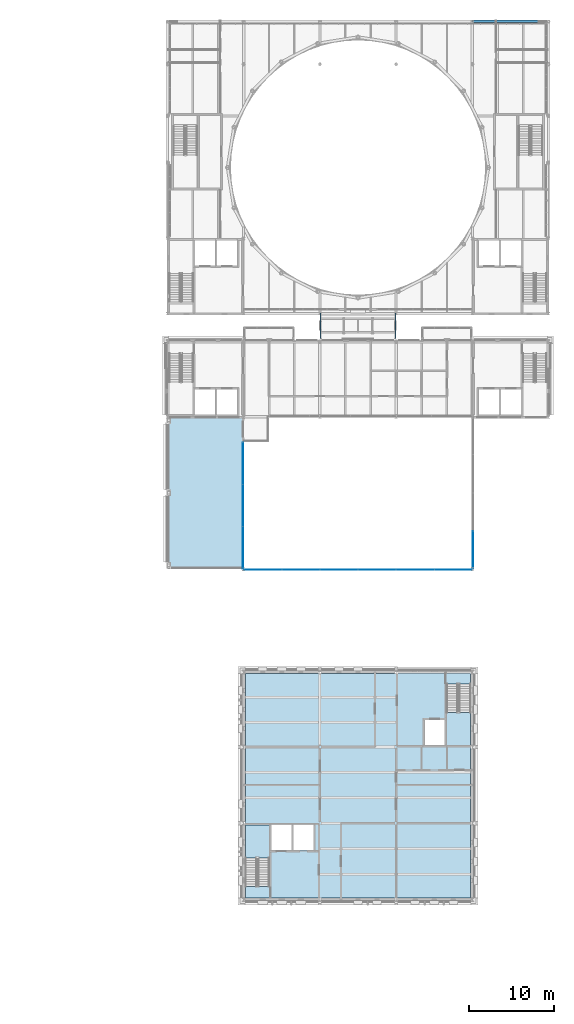
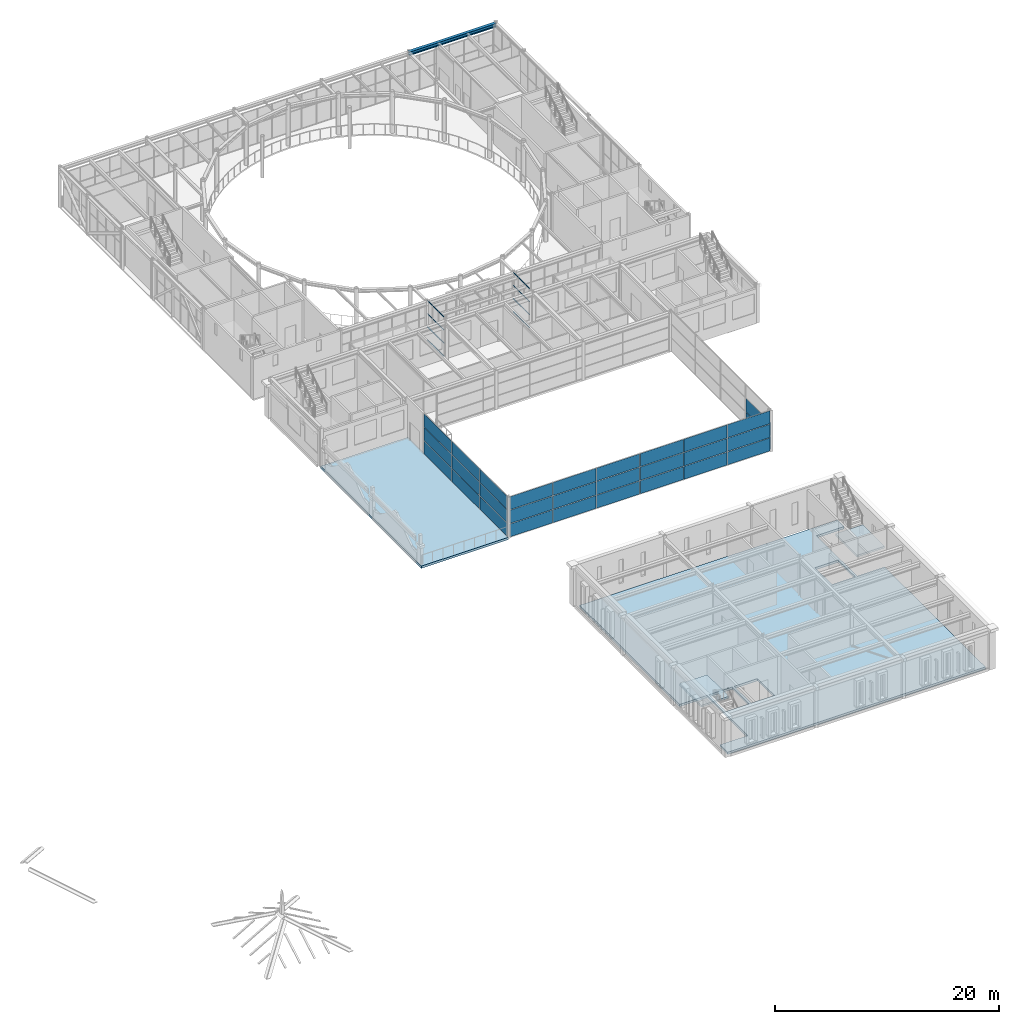
# One storey, part 44 of 70: 29 plates, 24 members, 4 slabs, 1 beam, 7 elements without a shape of their own.
"""IFC4 building model written with IfcOpenShell, lengths in metres."""

import ifcopenshell
import ifcopenshell.guid

model = None  # the IFC model being written
_history = None  # IfcOwnerHistory: only IFC2X3 demands one
_inside = {}  # id of a spatial element -> (the spatial element, [elements in it])
_under = {}  # id of a project, library or spatial element -> (it, [spatial elements below it])
_declared = {}  # id of a project -> (the project, [libraries it declares])
_typed = {}  # id of a type object -> (the type object, [elements of that type])
_made_of = {}  # id of a material, layer set ... -> (it, [elements and type objects made of it])


def new_model(schema):
    """Start an empty IFC model of exactly this schema.

    Asked for "IFC4X3", IfcOpenShell would pick the latest addendum, in which some entities
    have other attributes; the version numbers below select the first issue.
    IFC2X3 requires an IfcOwnerHistory on every rooted entity: one is made here for all.
    """
    global model, _history
    if schema == "IFC4X3":
        model = ifcopenshell.file(schema_version=(4, 3, 0, 0))
    else:
        model = ifcopenshell.file(schema=schema)
    _inside.clear()
    _under.clear()
    _declared.clear()
    _typed.clear()
    _made_of.clear()
    _history = None
    if model.schema == "IFC2X3":
        org = make("IfcOrganization", Name="unknown")
        user = make(
            "IfcPersonAndOrganization",
            ThePerson=make("IfcPerson", FamilyName="unknown"),
            TheOrganization=org,
        )
        app = make(
            "IfcApplication",
            ApplicationDeveloper=org,
            Version="unknown",
            ApplicationFullName="unknown",
            ApplicationIdentifier="unknown",
        )
        _history = make(
            "IfcOwnerHistory",
            OwningUser=user,
            OwningApplication=app,
            ChangeAction="ADDED",
            CreationDate=0,
        )
    return model


def make(cls, **values):
    """One entity of the class cls with the attributes given. An attribute that is None is left unset."""
    return model.create_entity(
        cls, **{name: value for name, value in values.items() if value is not None}
    )


def rooted(cls, **values):
    """An entity with a GlobalId (a new one), such as an element, a storey or a relation."""
    return make(cls, GlobalId=ifcopenshell.guid.new(), OwnerHistory=_history, **values)


def si_unit(unit_type, name, prefix=None):
    """IfcSIUnit, for example si_unit("LENGTHUNIT", "METRE", prefix="MILLI")."""
    return make("IfcSIUnit", UnitType=unit_type, Prefix=prefix, Name=name)


def assignment(units):
    """IfcUnitAssignment: the units of a project."""
    return None if units is None else make("IfcUnitAssignment", Units=units)


def point(xyz):
    """IfcCartesianPoint."""
    return None if xyz is None else make("IfcCartesianPoint", Coordinates=xyz)


def direction(xyz):
    """IfcDirection."""
    return None if xyz is None else make("IfcDirection", DirectionRatios=xyz)


def frame(location, z_axis=None, x_axis=None):
    """IfcAxis2Placement3D, a coordinate frame: its origin and axes. An axis left out is left unset."""
    return make(
        "IfcAxis2Placement3D",
        Location=point(location),
        Axis=direction(z_axis),
        RefDirection=direction(x_axis),
    )


def frame_2d(location, x_axis=None):
    """IfcAxis2Placement2D, a coordinate frame in the plane: its origin and x axis."""
    return make(
        "IfcAxis2Placement2D", Location=point(location), RefDirection=direction(x_axis)
    )


def origin():
    """The frame at (0, 0, 0) with its axes left unset."""
    return frame((0.0, 0.0, 0.0))


def origin_2d():
    """The frame at (0, 0) in the plane with its x axis left unset."""
    return frame_2d((0.0, 0.0))


def place(relative_to, where):
    """IfcLocalPlacement: puts the frame where relative to a parent placement (None: the world)."""
    return make(
        "IfcLocalPlacement", PlacementRelTo=relative_to, RelativePlacement=where
    )


def context(
    kind, dimensions, precision=None, world=None, true_north=None, identifier=None
):
    """IfcGeometricRepresentationContext, for example the 3D "Model" context."""
    return make(
        "IfcGeometricRepresentationContext",
        ContextIdentifier=identifier,
        ContextType=kind,
        CoordinateSpaceDimension=dimensions,
        Precision=precision,
        WorldCoordinateSystem=world,
        TrueNorth=true_north,
    )


def subcontext(parent, identifier, kind, view, scale=None):
    """IfcGeometricRepresentationSubContext, for example "Body" below "Model"."""
    return make(
        "IfcGeometricRepresentationSubContext",
        ContextIdentifier=identifier,
        ContextType=kind,
        ParentContext=parent,
        TargetScale=scale,
        TargetView=view,
    )


def project(units=None, contexts=None):
    """IfcProject with its units and contexts."""
    return rooted(
        "IfcProject",
        Name="project",
        RepresentationContexts=contexts,
        UnitsInContext=assignment(units),
    )


def spatial(cls, under=None, at=None, **own):
    """A site, building, storey or space (cls), placed at a placement, below another one or the project."""
    s = rooted(cls, ObjectPlacement=at, **own)
    if under is not None:
        _under.setdefault(under.id(), (under, []))[1].append(s)
    return s


def polyline(points):
    """IfcPolyline through the points."""
    return make("IfcPolyline", Points=[point(p) for p in points])


def profile(cls, at=None, kind="AREA", **sizes):
    """A parametric profile (cls). Its sizes go by their IFC names, for example OverallWidth=200.0."""
    return make(cls, ProfileType=kind, Position=at, **sizes)


def rectangle(**sizes):
    """IfcRectangleProfileDef."""
    return profile("IfcRectangleProfileDef", **sizes)


def hollow_rectangle(**sizes):
    """IfcRectangleHollowProfileDef."""
    return profile("IfcRectangleHollowProfileDef", **sizes)


def i_section(**sizes):
    """IfcIShapeProfileDef."""
    return profile("IfcIShapeProfileDef", **sizes)


def outline(outer, holes=None, kind="AREA"):
    """IfcArbitraryClosedProfileDef: a profile drawn as a closed curve; with holes, ...WithVoids."""
    if holes is None:
        return make("IfcArbitraryClosedProfileDef", ProfileType=kind, OuterCurve=outer)
    return make(
        "IfcArbitraryProfileDefWithVoids",
        ProfileType=kind,
        OuterCurve=outer,
        InnerCurves=holes,
    )


def extrude(swept, where, along, depth):
    """IfcExtrudedAreaSolid: the profile swept, set in the frame where, extruded along a direction by depth."""
    return make(
        "IfcExtrudedAreaSolid",
        SweptArea=swept,
        Position=where,
        ExtrudedDirection=direction(along),
        Depth=depth,
    )


def shape(context_of_items, identifier, shape_type, items):
    """IfcShapeRepresentation: the items that make up one representation, for example the "Body"."""
    return make(
        "IfcShapeRepresentation",
        ContextOfItems=context_of_items,
        RepresentationIdentifier=identifier,
        RepresentationType=shape_type,
        Items=items,
    )


def material(Name=None, Category=None):
    """IfcMaterial."""
    return make("IfcMaterial", Name=Name, Category=Category)


def layer(
    of_material, thickness, ventilated=None, Name=None, Category=None, Priority=None
):
    """IfcMaterialLayer: one layer of a wall or slab, of a material (None: an air gap)."""
    return make(
        "IfcMaterialLayer",
        Material=of_material,
        LayerThickness=thickness,
        IsVentilated=ventilated,
        Name=Name,
        Category=Category,
        Priority=Priority,
    )


def layer_set(layers, Name=None):
    """IfcMaterialLayerSet."""
    return make("IfcMaterialLayerSet", MaterialLayers=layers, LayerSetName=Name)


def material_profile(
    of_material, cross_section, Name=None, Category=None, Priority=None
):
    """IfcMaterialProfile: a cross section and its material."""
    return make(
        "IfcMaterialProfile",
        Name=Name,
        Material=of_material,
        Profile=cross_section,
        Priority=Priority,
        Category=Category,
    )


def profile_set(profiles, Name=None, composite=None):
    """IfcMaterialProfileSet."""
    return make(
        "IfcMaterialProfileSet",
        Name=Name,
        MaterialProfiles=profiles,
        CompositeProfile=composite,
    )


def made_of(thing, what):
    """Note that an element or type object is made of a material, layer set ...; save() writes the relation."""
    if what is not None:
        _made_of.setdefault(what.id(), (what, []))[1].append(thing)
    return thing


def type_object(cls, material=None, **own):
    """A type object (cls), such as IfcWallType, which elements share."""
    return made_of(rooted(cls, **own), material)


def element(
    cls,
    number,
    at=None,
    inside=None,
    cuts=None,
    type_object=None,
    material=None,
    context=None,
    identifier="Body",
    shape_type=None,
    held_by="IfcProductDefinitionShape",
    body=None,
    shapes=None,
    **own,
):
    """One element of the class cls, such as IfcWall. Its Tag is "e" and its number.

    at: its placement. inside: the storey or other place that contains it. cuts: it is an
    opening in that element (IfcRelVoidsElement). A single representation is given by context,
    identifier, shape_type and body (its items); several are given by shapes. held_by: the class
    of the entity that holds the representations. save() writes the other relations.
    """
    e = rooted(cls, Tag="e%d" % number, ObjectPlacement=at, **own)
    if body is not None:
        shapes = [shape(context, identifier, shape_type, body)]
    if shapes is not None:
        e.Representation = make(held_by, Representations=shapes)
    if inside is not None:
        _inside.setdefault(inside.id(), (inside, []))[1].append(e)
    if cuts is not None:
        rooted(
            "IfcRelVoidsElement", RelatingBuildingElement=cuts, RelatedOpeningElement=e
        )
    if type_object is not None:
        _typed.setdefault(type_object.id(), (type_object, []))[1].append(e)
    return made_of(e, material)


def aggregate(whole, parts):
    """IfcRelAggregates: a whole, such as a stair, and the parts it consists of."""
    return rooted("IfcRelAggregates", RelatingObject=whole, RelatedObjects=parts)


def save(model, path):
    """Write the relations noted so far, then the file.

    IfcRelAggregates (storeys below a building ...), IfcRelContainedInSpatialStructure (elements
    in a storey), IfcRelDefinesByType, IfcRelAssociatesMaterial and IfcRelDeclares: one each for
    every whole, place, type object, material and project.
    """
    for whole, parts in _under.values():
        aggregate(whole, parts)
    for where, things in _inside.values():
        rooted(
            "IfcRelContainedInSpatialStructure",
            RelatedElements=things,
            RelatingStructure=where,
        )
    for kind, things in _typed.values():
        rooted("IfcRelDefinesByType", RelatedObjects=things, RelatingType=kind)
    for what, things in _made_of.values():
        rooted("IfcRelAssociatesMaterial", RelatedObjects=things, RelatingMaterial=what)
    for by, libraries in _declared.values():
        rooted("IfcRelDeclares", RelatingContext=by, RelatedDefinitions=libraries)
    model.write(path)


model = new_model("IFC4")

# Units and contexts
model_context = context("Model", 3, precision=1e-05, world=origin(), true_north=direction((0.0, 1.0)))
body_context = subcontext(model_context, "Body", "Model", "MODEL_VIEW")
ifc_project = project(units=[si_unit("LENGTHUNIT", "METRE"), si_unit("AREAUNIT", "SQUARE_METRE"), si_unit("VOLUMEUNIT", "CUBIC_METRE"), si_unit("PLANEANGLEUNIT", "RADIAN"), si_unit("MASSUNIT", "GRAM", prefix="KILO")], contexts=[model_context])

# Site, building, storey
site_placement = place(None, origin())
site = spatial("IfcSite", under=ifc_project, at=site_placement, CompositionType="ELEMENT")
building_placement = place(site_placement, origin())
building = spatial("IfcBuilding", under=site, at=building_placement, Name="Kallimachos Central Library", CompositionType="ELEMENT")
storey_placement = place(building_placement, frame((0.0, 0.0, 18.89990234375)))
storey = spatial("IfcBuildingStorey", under=building, at=storey_placement, Name="L04", CompositionType="ELEMENT", Elevation=18.89990234375)

# Curtain wall, members
ifc_material_1 = material(Name="Aluminium and laminated glass", Category="aluminium")
curtain_wall_type_1 = type_object("IfcCurtainWallType", Name="Link glazed wall", PredefinedType="NOTDEFINED", material=ifc_material_1)
curtain_wall_1_placement = place(storey_placement, origin())
curtain_wall_1 = element("IfcCurtainWall", 1, at=curtain_wall_1_placement, inside=storey, type_object=curtain_wall_type_1, Name="Reading Link glazed wall L04", PredefinedType="NOTDEFINED")
ifc_material_2 = material(Name="Anodised aluminium", Category="aluminium")
ifc_material_profile_1 = material_profile(ifc_material_2, hollow_rectangle(XDim=0.06005859375, YDim=0.080078125, WallThickness=0.00390625, at=origin_2d()), Name="ALU TRANSOM 60x80")
ifc_profile_set_1 = profile_set([ifc_material_profile_1], Name="Anodised aluminium")
member_type = type_object("IfcMemberType", Name="ALU TRANSOM 60x80 transom", PredefinedType="USERDEFINED", material=ifc_profile_set_1)
member_1_placement = place(storey_placement, frame((83.580078125, 84.260009765625, 0.030029296875), z_axis=(0.0, 1.0, 0.0), x_axis=(0.0, 0.0, 1.0)))
member_1 = element("IfcMember", 2, at=member_1_placement, type_object=member_type, Name="CW70 transom 1.1", ObjectType="TRANSOM", PredefinedType="USERDEFINED", context=body_context, shape_type="SweptSolid", body=[
    extrude(hollow_rectangle(XDim=0.06005859375, YDim=0.080078125, WallThickness=0.00390625, at=origin_2d()), origin(), (0.0, 0.0, 1.0), 0.93505859375),
])
member_2_placement = place(storey_placement, frame((83.580078125, 84.260009765625, 1.4501953125), z_axis=(0.0, 1.0, 0.0), x_axis=(0.0, 0.0, 1.0)))
member_2 = element("IfcMember", 3, at=member_2_placement, type_object=member_type, Name="CW70 transom 1.2", ObjectType="TRANSOM", PredefinedType="USERDEFINED", context=body_context, shape_type="SweptSolid", body=[
    extrude(hollow_rectangle(XDim=0.06005859375, YDim=0.080078125, WallThickness=0.00390625, at=origin_2d()), origin(), (0.0, 0.0, 1.0), 0.93505859375),
])
member_3_placement = place(storey_placement, frame((83.580078125, 84.260009765625, 2.900146484375), z_axis=(0.0, 1.0, 0.0), x_axis=(0.0, 0.0, 1.0)))
member_3 = element("IfcMember", 4, at=member_3_placement, type_object=member_type, Name="CW70 transom 1.3", ObjectType="TRANSOM", PredefinedType="USERDEFINED", context=body_context, shape_type="SweptSolid", body=[
    extrude(hollow_rectangle(XDim=0.06005859375, YDim=0.080078125, WallThickness=0.00390625, at=origin_2d()), origin(), (0.0, 0.0, 1.0), 0.93505859375),
])
member_4_placement = place(storey_placement, frame((83.580078125, 84.260009765625, 4.320068359375), z_axis=(0.0, 1.0, 0.0), x_axis=(0.0, 0.0, 1.0)))
member_4 = element("IfcMember", 5, at=member_4_placement, type_object=member_type, Name="CW70 transom 1.4", ObjectType="TRANSOM", PredefinedType="USERDEFINED", context=body_context, shape_type="SweptSolid", body=[
    extrude(hollow_rectangle(XDim=0.06005859375, YDim=0.080078125, WallThickness=0.00390625, at=origin_2d()), origin(), (0.0, 0.0, 1.0), 0.93505859375),
])
member_5_placement = place(storey_placement, frame((83.580078125, 85.2548828125, 0.030029296875), z_axis=(0.0, 1.0, 0.0), x_axis=(0.0, 0.0, 1.0)))
member_5 = element("IfcMember", 6, at=member_5_placement, type_object=member_type, Name="CW70 transom 2.1", ObjectType="TRANSOM", PredefinedType="USERDEFINED", context=body_context, shape_type="SweptSolid", body=[
    extrude(hollow_rectangle(XDim=0.06005859375, YDim=0.080078125, WallThickness=0.00390625, at=origin_2d()), origin(), (0.0, 0.0, 1.0), 0.965087890625),
])
member_6_placement = place(storey_placement, frame((83.580078125, 85.2548828125, 1.4501953125), z_axis=(0.0, 1.0, 0.0), x_axis=(0.0, 0.0, 1.0)))
member_6 = element("IfcMember", 7, at=member_6_placement, type_object=member_type, Name="CW70 transom 2.2", ObjectType="TRANSOM", PredefinedType="USERDEFINED", context=body_context, shape_type="SweptSolid", body=[
    extrude(hollow_rectangle(XDim=0.06005859375, YDim=0.080078125, WallThickness=0.00390625, at=origin_2d()), origin(), (0.0, 0.0, 1.0), 0.965087890625),
])
member_7_placement = place(storey_placement, frame((83.580078125, 85.2548828125, 2.900146484375), z_axis=(0.0, 1.0, 0.0), x_axis=(0.0, 0.0, 1.0)))
member_7 = element("IfcMember", 8, at=member_7_placement, type_object=member_type, Name="CW70 transom 2.3", ObjectType="TRANSOM", PredefinedType="USERDEFINED", context=body_context, shape_type="SweptSolid", body=[
    extrude(hollow_rectangle(XDim=0.06005859375, YDim=0.080078125, WallThickness=0.00390625, at=origin_2d()), origin(), (0.0, 0.0, 1.0), 0.965087890625),
])
member_8_placement = place(storey_placement, frame((83.580078125, 85.2548828125, 4.320068359375), z_axis=(0.0, 1.0, 0.0), x_axis=(0.0, 0.0, 1.0)))
member_8 = element("IfcMember", 9, at=member_8_placement, type_object=member_type, Name="CW70 transom 2.4", ObjectType="TRANSOM", PredefinedType="USERDEFINED", context=body_context, shape_type="SweptSolid", body=[
    extrude(hollow_rectangle(XDim=0.06005859375, YDim=0.080078125, WallThickness=0.00390625, at=origin_2d()), origin(), (0.0, 0.0, 1.0), 0.965087890625),
])
member_9_placement = place(storey_placement, frame((83.580078125, 86.280029296875, 0.030029296875), z_axis=(0.0, 1.0, 0.0), x_axis=(0.0, 0.0, 1.0)))
member_9 = element("IfcMember", 10, at=member_9_placement, type_object=member_type, Name="CW70 transom 3.1", ObjectType="TRANSOM", PredefinedType="USERDEFINED", context=body_context, shape_type="SweptSolid", body=[
    extrude(hollow_rectangle(XDim=0.06005859375, YDim=0.080078125, WallThickness=0.00390625, at=origin_2d()), origin(), (0.0, 0.0, 1.0), 0.93505859375),
])
member_10_placement = place(storey_placement, frame((83.580078125, 86.280029296875, 1.4501953125), z_axis=(0.0, 1.0, 0.0), x_axis=(0.0, 0.0, 1.0)))
member_10 = element("IfcMember", 11, at=member_10_placement, type_object=member_type, Name="CW70 transom 3.2", ObjectType="TRANSOM", PredefinedType="USERDEFINED", context=body_context, shape_type="SweptSolid", body=[
    extrude(hollow_rectangle(XDim=0.06005859375, YDim=0.080078125, WallThickness=0.00390625, at=origin_2d()), origin(), (0.0, 0.0, 1.0), 0.93505859375),
])
member_11_placement = place(storey_placement, frame((83.580078125, 86.280029296875, 2.900146484375), z_axis=(0.0, 1.0, 0.0), x_axis=(0.0, 0.0, 1.0)))
member_11 = element("IfcMember", 12, at=member_11_placement, type_object=member_type, Name="CW70 transom 3.3", ObjectType="TRANSOM", PredefinedType="USERDEFINED", context=body_context, shape_type="SweptSolid", body=[
    extrude(hollow_rectangle(XDim=0.06005859375, YDim=0.080078125, WallThickness=0.00390625, at=origin_2d()), origin(), (0.0, 0.0, 1.0), 0.93505859375),
])
member_12_placement = place(storey_placement, frame((83.580078125, 86.280029296875, 4.320068359375), z_axis=(0.0, 1.0, 0.0), x_axis=(0.0, 0.0, 1.0)))
member_12 = element("IfcMember", 13, at=member_12_placement, type_object=member_type, Name="CW70 transom 3.4", ObjectType="TRANSOM", PredefinedType="USERDEFINED", context=body_context, shape_type="SweptSolid", body=[
    extrude(hollow_rectangle(XDim=0.06005859375, YDim=0.080078125, WallThickness=0.00390625, at=origin_2d()), origin(), (0.0, 0.0, 1.0), 0.93505859375),
])
aggregate(curtain_wall_1, [member_1, member_2, member_3, member_4, member_5, member_6, member_7, member_8, member_9, member_10, member_11, member_12])

curtain_wall_2_placement = place(storey_placement, origin())
curtain_wall_2 = element("IfcCurtainWall", 14, at=curtain_wall_2_placement, inside=storey, type_object=curtain_wall_type_1, Name="Reading Link glazed wall L04", PredefinedType="NOTDEFINED")
member_13_placement = place(storey_placement, frame((92.419921875, 84.260009765625, 0.030029296875), z_axis=(0.0, 1.0, 0.0), x_axis=(0.0, 0.0, 1.0)))
member_13 = element("IfcMember", 15, at=member_13_placement, type_object=member_type, Name="CW71 transom 1.1", ObjectType="TRANSOM", PredefinedType="USERDEFINED", context=body_context, shape_type="SweptSolid", body=[
    extrude(hollow_rectangle(XDim=0.06005859375, YDim=0.080078125, WallThickness=0.00390625, at=origin_2d()), origin(), (0.0, 0.0, 1.0), 0.93505859375),
])
member_14_placement = place(storey_placement, frame((92.419921875, 84.260009765625, 1.4501953125), z_axis=(0.0, 1.0, 0.0), x_axis=(0.0, 0.0, 1.0)))
member_14 = element("IfcMember", 16, at=member_14_placement, type_object=member_type, Name="CW71 transom 1.2", ObjectType="TRANSOM", PredefinedType="USERDEFINED", context=body_context, shape_type="SweptSolid", body=[
    extrude(hollow_rectangle(XDim=0.06005859375, YDim=0.080078125, WallThickness=0.00390625, at=origin_2d()), origin(), (0.0, 0.0, 1.0), 0.93505859375),
])
member_15_placement = place(storey_placement, frame((92.419921875, 84.260009765625, 2.900146484375), z_axis=(0.0, 1.0, 0.0), x_axis=(0.0, 0.0, 1.0)))
member_15 = element("IfcMember", 17, at=member_15_placement, type_object=member_type, Name="CW71 transom 1.3", ObjectType="TRANSOM", PredefinedType="USERDEFINED", context=body_context, shape_type="SweptSolid", body=[
    extrude(hollow_rectangle(XDim=0.06005859375, YDim=0.080078125, WallThickness=0.00390625, at=origin_2d()), origin(), (0.0, 0.0, 1.0), 0.93505859375),
])
member_16_placement = place(storey_placement, frame((92.419921875, 84.260009765625, 4.320068359375), z_axis=(0.0, 1.0, 0.0), x_axis=(0.0, 0.0, 1.0)))
member_16 = element("IfcMember", 18, at=member_16_placement, type_object=member_type, Name="CW71 transom 1.4", ObjectType="TRANSOM", PredefinedType="USERDEFINED", context=body_context, shape_type="SweptSolid", body=[
    extrude(hollow_rectangle(XDim=0.06005859375, YDim=0.080078125, WallThickness=0.00390625, at=origin_2d()), origin(), (0.0, 0.0, 1.0), 0.93505859375),
])
member_17_placement = place(storey_placement, frame((92.419921875, 85.2548828125, 0.030029296875), z_axis=(0.0, 1.0, 0.0), x_axis=(0.0, 0.0, 1.0)))
member_17 = element("IfcMember", 19, at=member_17_placement, type_object=member_type, Name="CW71 transom 2.1", ObjectType="TRANSOM", PredefinedType="USERDEFINED", context=body_context, shape_type="SweptSolid", body=[
    extrude(hollow_rectangle(XDim=0.06005859375, YDim=0.080078125, WallThickness=0.00390625, at=origin_2d()), origin(), (0.0, 0.0, 1.0), 0.965087890625),
])
member_18_placement = place(storey_placement, frame((92.419921875, 85.2548828125, 1.4501953125), z_axis=(0.0, 1.0, 0.0), x_axis=(0.0, 0.0, 1.0)))
member_18 = element("IfcMember", 20, at=member_18_placement, type_object=member_type, Name="CW71 transom 2.2", ObjectType="TRANSOM", PredefinedType="USERDEFINED", context=body_context, shape_type="SweptSolid", body=[
    extrude(hollow_rectangle(XDim=0.06005859375, YDim=0.080078125, WallThickness=0.00390625, at=origin_2d()), origin(), (0.0, 0.0, 1.0), 0.965087890625),
])
member_19_placement = place(storey_placement, frame((92.419921875, 85.2548828125, 2.900146484375), z_axis=(0.0, 1.0, 0.0), x_axis=(0.0, 0.0, 1.0)))
member_19 = element("IfcMember", 21, at=member_19_placement, type_object=member_type, Name="CW71 transom 2.3", ObjectType="TRANSOM", PredefinedType="USERDEFINED", context=body_context, shape_type="SweptSolid", body=[
    extrude(hollow_rectangle(XDim=0.06005859375, YDim=0.080078125, WallThickness=0.00390625, at=origin_2d()), origin(), (0.0, 0.0, 1.0), 0.965087890625),
])
member_20_placement = place(storey_placement, frame((92.419921875, 85.2548828125, 4.320068359375), z_axis=(0.0, 1.0, 0.0), x_axis=(0.0, 0.0, 1.0)))
member_20 = element("IfcMember", 22, at=member_20_placement, type_object=member_type, Name="CW71 transom 2.4", ObjectType="TRANSOM", PredefinedType="USERDEFINED", context=body_context, shape_type="SweptSolid", body=[
    extrude(hollow_rectangle(XDim=0.06005859375, YDim=0.080078125, WallThickness=0.00390625, at=origin_2d()), origin(), (0.0, 0.0, 1.0), 0.965087890625),
])
member_21_placement = place(storey_placement, frame((92.419921875, 86.280029296875, 0.030029296875), z_axis=(0.0, 1.0, 0.0), x_axis=(0.0, 0.0, 1.0)))
member_21 = element("IfcMember", 23, at=member_21_placement, type_object=member_type, Name="CW71 transom 3.1", ObjectType="TRANSOM", PredefinedType="USERDEFINED", context=body_context, shape_type="SweptSolid", body=[
    extrude(hollow_rectangle(XDim=0.06005859375, YDim=0.080078125, WallThickness=0.00390625, at=origin_2d()), origin(), (0.0, 0.0, 1.0), 0.93505859375),
])
member_22_placement = place(storey_placement, frame((92.419921875, 86.280029296875, 1.4501953125), z_axis=(0.0, 1.0, 0.0), x_axis=(0.0, 0.0, 1.0)))
member_22 = element("IfcMember", 24, at=member_22_placement, type_object=member_type, Name="CW71 transom 3.2", ObjectType="TRANSOM", PredefinedType="USERDEFINED", context=body_context, shape_type="SweptSolid", body=[
    extrude(hollow_rectangle(XDim=0.06005859375, YDim=0.080078125, WallThickness=0.00390625, at=origin_2d()), origin(), (0.0, 0.0, 1.0), 0.93505859375),
])
member_23_placement = place(storey_placement, frame((92.419921875, 86.280029296875, 2.900146484375), z_axis=(0.0, 1.0, 0.0), x_axis=(0.0, 0.0, 1.0)))
member_23 = element("IfcMember", 25, at=member_23_placement, type_object=member_type, Name="CW71 transom 3.3", ObjectType="TRANSOM", PredefinedType="USERDEFINED", context=body_context, shape_type="SweptSolid", body=[
    extrude(hollow_rectangle(XDim=0.06005859375, YDim=0.080078125, WallThickness=0.00390625, at=origin_2d()), origin(), (0.0, 0.0, 1.0), 0.93505859375),
])
member_24_placement = place(storey_placement, frame((92.419921875, 86.280029296875, 4.320068359375), z_axis=(0.0, 1.0, 0.0), x_axis=(0.0, 0.0, 1.0)))
member_24 = element("IfcMember", 26, at=member_24_placement, type_object=member_type, Name="CW71 transom 3.4", ObjectType="TRANSOM", PredefinedType="USERDEFINED", context=body_context, shape_type="SweptSolid", body=[
    extrude(hollow_rectangle(XDim=0.06005859375, YDim=0.080078125, WallThickness=0.00390625, at=origin_2d()), origin(), (0.0, 0.0, 1.0), 0.93505859375),
])
aggregate(curtain_wall_2, [member_13, member_14, member_15, member_16, member_17, member_18, member_19, member_20, member_21, member_22, member_23, member_24])

# Beam
ifc_material_3 = material(Name="Steel S355J2", Category="steel")
ifc_material_profile_2 = material_profile(ifc_material_3, i_section(OverallWidth=0.300048828125, OverallDepth=0.39990234375, WebThickness=0.013427734375, FlangeThickness=0.02392578125, FilletRadius=0.027099609375, at=origin_2d()), Name="HEB 400")
ifc_profile_set_2 = profile_set([ifc_material_profile_2], Name="Steel S355J2")
beam_type = type_object("IfcBeamType", Name="HEB 400 beam", PredefinedType="BEAM", material=ifc_profile_set_2)
beam_placement = place(storey_placement, frame((101.5, 121.64990234375, 4.150146484375), z_axis=(1.0, 0.0, 0.0), x_axis=(0.0, 1.0, 0.0)))
element("IfcBeam", 27, at=beam_placement, inside=storey, type_object=beam_type, Name="V1-BEM-L04-048", PredefinedType="BEAM", context=body_context, shape_type="SweptSolid", body=[
    extrude(i_section(OverallWidth=0.300048828125, OverallDepth=0.39990234375, WebThickness=0.013427734375, FlangeThickness=0.02392578125, FilletRadius=0.027099609375, at=origin_2d()), origin(), (0.0, 0.0, 1.0), 9.0),
])

# Curtain wall, plates
ifc_material_4 = material(Name="Aluminium and laminated glass", Category="aluminium")
curtain_wall_type_2 = type_object("IfcCurtainWallType", Name="Atrium glazed screen", PredefinedType="NOTDEFINED", material=ifc_material_4)
curtain_wall_3_placement = place(storey_placement, origin())
curtain_wall_3 = element("IfcCurtainWall", 28, at=curtain_wall_3_placement, inside=storey, type_object=curtain_wall_type_2, Name="L04 atrium screen S", PredefinedType="NOTDEFINED")
ifc_material_5 = material(Name="Laminated glass", Category="glass")
ifc_layer_1 = layer(ifc_material_5, 0.028076171875)
ifc_layer_set_1 = layer_set([ifc_layer_1], Name="Atrium screen glass panel")
plate_type = type_object("IfcPlateType", Name="Atrium screen glass panel", PredefinedType="CURTAIN_PANEL", material=ifc_layer_set_1)
plate_1_placement = place(storey_placement, frame((76.764892578125, 56.919921875, 0.06005859375), z_axis=(0.0, 0.0, 1.0), x_axis=(1.0, 0.0, 0.0)))
plate_1 = element("IfcPlate", 29, at=plate_1_placement, type_object=plate_type, Name="CW panel 1.1", PredefinedType="CURTAIN_PANEL", context=body_context, shape_type="SweptSolid", body=[
    extrude(rectangle(XDim=4.409912109375, YDim=0.028076171875, at=origin_2d()), origin(), (0.0, 0.0, 1.0), 1.409912109375),
])
plate_2_placement = place(storey_placement, frame((76.764892578125, 56.919921875, 1.530029296875), z_axis=(0.0, 0.0, 1.0), x_axis=(1.0, 0.0, 0.0)))
plate_2 = element("IfcPlate", 30, at=plate_2_placement, type_object=plate_type, Name="CW panel 1.2", PredefinedType="CURTAIN_PANEL", context=body_context, shape_type="SweptSolid", body=[
    extrude(rectangle(XDim=4.409912109375, YDim=0.028076171875, at=origin_2d()), origin(), (0.0, 0.0, 1.0), 1.43994140625),
])
plate_3_placement = place(storey_placement, frame((76.764892578125, 56.919921875, 3.0302734375), z_axis=(0.0, 0.0, 1.0), x_axis=(1.0, 0.0, 0.0)))
plate_3 = element("IfcPlate", 31, at=plate_3_placement, type_object=plate_type, Name="CW panel 1.3", PredefinedType="CURTAIN_PANEL", context=body_context, shape_type="SweptSolid", body=[
    extrude(rectangle(XDim=4.409912109375, YDim=0.028076171875, at=origin_2d()), origin(), (0.0, 0.0, 1.0), 1.409912109375),
])
plate_4_placement = place(storey_placement, frame((81.25, 56.919921875, 0.06005859375), z_axis=(0.0, 0.0, 1.0), x_axis=(1.0, 0.0, 0.0)))
plate_4 = element("IfcPlate", 32, at=plate_4_placement, type_object=plate_type, Name="CW panel 2.1", PredefinedType="CURTAIN_PANEL", context=body_context, shape_type="SweptSolid", body=[
    extrude(rectangle(XDim=4.43994140625, YDim=0.028076171875, at=origin_2d()), origin(), (0.0, 0.0, 1.0), 1.409912109375),
])
plate_5_placement = place(storey_placement, frame((81.25, 56.919921875, 1.530029296875), z_axis=(0.0, 0.0, 1.0), x_axis=(1.0, 0.0, 0.0)))
plate_5 = element("IfcPlate", 33, at=plate_5_placement, type_object=plate_type, Name="CW panel 2.2", PredefinedType="CURTAIN_PANEL", context=body_context, shape_type="SweptSolid", body=[
    extrude(rectangle(XDim=4.43994140625, YDim=0.028076171875, at=origin_2d()), origin(), (0.0, 0.0, 1.0), 1.43994140625),
])
plate_6_placement = place(storey_placement, frame((81.25, 56.919921875, 3.0302734375), z_axis=(0.0, 0.0, 1.0), x_axis=(1.0, 0.0, 0.0)))
plate_6 = element("IfcPlate", 34, at=plate_6_placement, type_object=plate_type, Name="CW panel 2.3", PredefinedType="CURTAIN_PANEL", context=body_context, shape_type="SweptSolid", body=[
    extrude(rectangle(XDim=4.43994140625, YDim=0.028076171875, at=origin_2d()), origin(), (0.0, 0.0, 1.0), 1.409912109375),
])
plate_7_placement = place(storey_placement, frame((85.75, 56.919921875, 0.06005859375), z_axis=(0.0, 0.0, 1.0), x_axis=(1.0, 0.0, 0.0)))
plate_7 = element("IfcPlate", 35, at=plate_7_placement, type_object=plate_type, Name="CW panel 3.1", PredefinedType="CURTAIN_PANEL", context=body_context, shape_type="SweptSolid", body=[
    extrude(rectangle(XDim=4.43994140625, YDim=0.028076171875, at=origin_2d()), origin(), (0.0, 0.0, 1.0), 1.409912109375),
])
plate_8_placement = place(storey_placement, frame((85.75, 56.919921875, 1.530029296875), z_axis=(0.0, 0.0, 1.0), x_axis=(1.0, 0.0, 0.0)))
plate_8 = element("IfcPlate", 36, at=plate_8_placement, type_object=plate_type, Name="CW panel 3.2", PredefinedType="CURTAIN_PANEL", context=body_context, shape_type="SweptSolid", body=[
    extrude(rectangle(XDim=4.43994140625, YDim=0.028076171875, at=origin_2d()), origin(), (0.0, 0.0, 1.0), 1.43994140625),
])
plate_9_placement = place(storey_placement, frame((85.75, 56.919921875, 3.0302734375), z_axis=(0.0, 0.0, 1.0), x_axis=(1.0, 0.0, 0.0)))
plate_9 = element("IfcPlate", 37, at=plate_9_placement, type_object=plate_type, Name="CW panel 3.3", PredefinedType="CURTAIN_PANEL", context=body_context, shape_type="SweptSolid", body=[
    extrude(rectangle(XDim=4.43994140625, YDim=0.028076171875, at=origin_2d()), origin(), (0.0, 0.0, 1.0), 1.409912109375),
])
plate_10_placement = place(storey_placement, frame((90.25, 56.919921875, 0.06005859375), z_axis=(0.0, 0.0, 1.0), x_axis=(1.0, 0.0, 0.0)))
plate_10 = element("IfcPlate", 38, at=plate_10_placement, type_object=plate_type, Name="CW panel 4.1", PredefinedType="CURTAIN_PANEL", context=body_context, shape_type="SweptSolid", body=[
    extrude(rectangle(XDim=4.43994140625, YDim=0.028076171875, at=origin_2d()), origin(), (0.0, 0.0, 1.0), 1.409912109375),
])
plate_11_placement = place(storey_placement, frame((90.25, 56.919921875, 1.530029296875), z_axis=(0.0, 0.0, 1.0), x_axis=(1.0, 0.0, 0.0)))
plate_11 = element("IfcPlate", 39, at=plate_11_placement, type_object=plate_type, Name="CW panel 4.2", PredefinedType="CURTAIN_PANEL", context=body_context, shape_type="SweptSolid", body=[
    extrude(rectangle(XDim=4.43994140625, YDim=0.028076171875, at=origin_2d()), origin(), (0.0, 0.0, 1.0), 1.43994140625),
])
plate_12_placement = place(storey_placement, frame((90.25, 56.919921875, 3.0302734375), z_axis=(0.0, 0.0, 1.0), x_axis=(1.0, 0.0, 0.0)))
plate_12 = element("IfcPlate", 40, at=plate_12_placement, type_object=plate_type, Name="CW panel 4.3", PredefinedType="CURTAIN_PANEL", context=body_context, shape_type="SweptSolid", body=[
    extrude(rectangle(XDim=4.43994140625, YDim=0.028076171875, at=origin_2d()), origin(), (0.0, 0.0, 1.0), 1.409912109375),
])
plate_13_placement = place(storey_placement, frame((94.75, 56.919921875, 0.06005859375), z_axis=(0.0, 0.0, 1.0), x_axis=(1.0, 0.0, 0.0)))
plate_13 = element("IfcPlate", 41, at=plate_13_placement, type_object=plate_type, Name="CW panel 5.1", PredefinedType="CURTAIN_PANEL", context=body_context, shape_type="SweptSolid", body=[
    extrude(rectangle(XDim=4.43994140625, YDim=0.028076171875, at=origin_2d()), origin(), (0.0, 0.0, 1.0), 1.409912109375),
])
plate_14_placement = place(storey_placement, frame((94.75, 56.919921875, 1.530029296875), z_axis=(0.0, 0.0, 1.0), x_axis=(1.0, 0.0, 0.0)))
plate_14 = element("IfcPlate", 42, at=plate_14_placement, type_object=plate_type, Name="CW panel 5.2", PredefinedType="CURTAIN_PANEL", context=body_context, shape_type="SweptSolid", body=[
    extrude(rectangle(XDim=4.43994140625, YDim=0.028076171875, at=origin_2d()), origin(), (0.0, 0.0, 1.0), 1.43994140625),
])
plate_15_placement = place(storey_placement, frame((94.75, 56.919921875, 3.0302734375), z_axis=(0.0, 0.0, 1.0), x_axis=(1.0, 0.0, 0.0)))
plate_15 = element("IfcPlate", 43, at=plate_15_placement, type_object=plate_type, Name="CW panel 5.3", PredefinedType="CURTAIN_PANEL", context=body_context, shape_type="SweptSolid", body=[
    extrude(rectangle(XDim=4.43994140625, YDim=0.028076171875, at=origin_2d()), origin(), (0.0, 0.0, 1.0), 1.409912109375),
])
plate_16_placement = place(storey_placement, frame((99.235107421875, 56.919921875, 0.06005859375), z_axis=(0.0, 0.0, 1.0), x_axis=(1.0, 0.0, 0.0)))
plate_16 = element("IfcPlate", 44, at=plate_16_placement, type_object=plate_type, Name="CW panel 6.1", PredefinedType="CURTAIN_PANEL", context=body_context, shape_type="SweptSolid", body=[
    extrude(rectangle(XDim=4.409912109375, YDim=0.028076171875, at=origin_2d()), origin(), (0.0, 0.0, 1.0), 1.409912109375),
])
plate_17_placement = place(storey_placement, frame((99.235107421875, 56.919921875, 1.530029296875), z_axis=(0.0, 0.0, 1.0), x_axis=(1.0, 0.0, 0.0)))
plate_17 = element("IfcPlate", 45, at=plate_17_placement, type_object=plate_type, Name="CW panel 6.2", PredefinedType="CURTAIN_PANEL", context=body_context, shape_type="SweptSolid", body=[
    extrude(rectangle(XDim=4.409912109375, YDim=0.028076171875, at=origin_2d()), origin(), (0.0, 0.0, 1.0), 1.43994140625),
])
plate_18_placement = place(storey_placement, frame((99.235107421875, 56.919921875, 3.0302734375), z_axis=(0.0, 0.0, 1.0), x_axis=(1.0, 0.0, 0.0)))
plate_18 = element("IfcPlate", 46, at=plate_18_placement, type_object=plate_type, Name="CW panel 6.3", PredefinedType="CURTAIN_PANEL", context=body_context, shape_type="SweptSolid", body=[
    extrude(rectangle(XDim=4.409912109375, YDim=0.028076171875, at=origin_2d()), origin(), (0.0, 0.0, 1.0), 1.409912109375),
])
aggregate(curtain_wall_3, [plate_1, plate_2, plate_3, plate_4, plate_5, plate_6, plate_7, plate_8, plate_9, plate_10, plate_11, plate_12, plate_13, plate_14, plate_15, plate_16, plate_17, plate_18])

curtain_wall_4_placement = place(storey_placement, origin())
curtain_wall_4 = element("IfcCurtainWall", 47, at=curtain_wall_4_placement, inside=storey, type_object=curtain_wall_type_2, Name="L04 atrium screen W", PredefinedType="NOTDEFINED")
plate_19_placement = place(storey_placement, frame((74.419921875, 59.514892578125, 0.06005859375), z_axis=(0.0, 0.0, 1.0), x_axis=(0.0, 1.0, 0.0)))
plate_19 = element("IfcPlate", 48, at=plate_19_placement, type_object=plate_type, Name="CW panel 1.1", PredefinedType="CURTAIN_PANEL", context=body_context, shape_type="SweptSolid", body=[
    extrude(rectangle(XDim=4.909912109375, YDim=0.028076171875, at=origin_2d()), origin(), (0.0, 0.0, 1.0), 1.409912109375),
])
plate_20_placement = place(storey_placement, frame((74.419921875, 59.514892578125, 1.530029296875), z_axis=(0.0, 0.0, 1.0), x_axis=(0.0, 1.0, 0.0)))
plate_20 = element("IfcPlate", 49, at=plate_20_placement, type_object=plate_type, Name="CW panel 1.2", PredefinedType="CURTAIN_PANEL", context=body_context, shape_type="SweptSolid", body=[
    extrude(rectangle(XDim=4.909912109375, YDim=0.028076171875, at=origin_2d()), origin(), (0.0, 0.0, 1.0), 1.43994140625),
])
plate_21_placement = place(storey_placement, frame((74.419921875, 59.514892578125, 3.0302734375), z_axis=(0.0, 0.0, 1.0), x_axis=(0.0, 1.0, 0.0)))
plate_21 = element("IfcPlate", 50, at=plate_21_placement, type_object=plate_type, Name="CW panel 1.3", PredefinedType="CURTAIN_PANEL", context=body_context, shape_type="SweptSolid", body=[
    extrude(rectangle(XDim=4.909912109375, YDim=0.028076171875, at=origin_2d()), origin(), (0.0, 0.0, 1.0), 1.409912109375),
])
plate_22_placement = place(storey_placement, frame((74.419921875, 64.5, 0.06005859375), z_axis=(0.0, 0.0, 1.0), x_axis=(0.0, 1.0, 0.0)))
plate_22 = element("IfcPlate", 51, at=plate_22_placement, type_object=plate_type, Name="CW panel 2.1", PredefinedType="CURTAIN_PANEL", context=body_context, shape_type="SweptSolid", body=[
    extrude(rectangle(XDim=4.93994140625, YDim=0.028076171875, at=origin_2d()), origin(), (0.0, 0.0, 1.0), 1.409912109375),
])
plate_23_placement = place(storey_placement, frame((74.419921875, 64.5, 1.530029296875), z_axis=(0.0, 0.0, 1.0), x_axis=(0.0, 1.0, 0.0)))
plate_23 = element("IfcPlate", 52, at=plate_23_placement, type_object=plate_type, Name="CW panel 2.2", PredefinedType="CURTAIN_PANEL", context=body_context, shape_type="SweptSolid", body=[
    extrude(rectangle(XDim=4.93994140625, YDim=0.028076171875, at=origin_2d()), origin(), (0.0, 0.0, 1.0), 1.43994140625),
])
plate_24_placement = place(storey_placement, frame((74.419921875, 64.5, 3.0302734375), z_axis=(0.0, 0.0, 1.0), x_axis=(0.0, 1.0, 0.0)))
plate_24 = element("IfcPlate", 53, at=plate_24_placement, type_object=plate_type, Name="CW panel 2.3", PredefinedType="CURTAIN_PANEL", context=body_context, shape_type="SweptSolid", body=[
    extrude(rectangle(XDim=4.93994140625, YDim=0.028076171875, at=origin_2d()), origin(), (0.0, 0.0, 1.0), 1.409912109375),
])
plate_25_placement = place(storey_placement, frame((74.419921875, 69.485107421875, 0.06005859375), z_axis=(0.0, 0.0, 1.0), x_axis=(0.0, 1.0, 0.0)))
plate_25 = element("IfcPlate", 54, at=plate_25_placement, type_object=plate_type, Name="CW panel 3.1", PredefinedType="CURTAIN_PANEL", context=body_context, shape_type="SweptSolid", body=[
    extrude(rectangle(XDim=4.909912109375, YDim=0.028076171875, at=origin_2d()), origin(), (0.0, 0.0, 1.0), 1.409912109375),
])
plate_26_placement = place(storey_placement, frame((74.419921875, 69.485107421875, 1.530029296875), z_axis=(0.0, 0.0, 1.0), x_axis=(0.0, 1.0, 0.0)))
plate_26 = element("IfcPlate", 55, at=plate_26_placement, type_object=plate_type, Name="CW panel 3.2", PredefinedType="CURTAIN_PANEL", context=body_context, shape_type="SweptSolid", body=[
    extrude(rectangle(XDim=4.909912109375, YDim=0.028076171875, at=origin_2d()), origin(), (0.0, 0.0, 1.0), 1.43994140625),
])
plate_27_placement = place(storey_placement, frame((74.419921875, 69.485107421875, 3.0302734375), z_axis=(0.0, 0.0, 1.0), x_axis=(0.0, 1.0, 0.0)))
plate_27 = element("IfcPlate", 56, at=plate_27_placement, type_object=plate_type, Name="CW panel 3.3", PredefinedType="CURTAIN_PANEL", context=body_context, shape_type="SweptSolid", body=[
    extrude(rectangle(XDim=4.909912109375, YDim=0.028076171875, at=origin_2d()), origin(), (0.0, 0.0, 1.0), 1.409912109375),
])
aggregate(curtain_wall_4, [plate_19, plate_20, plate_21, plate_22, plate_23, plate_24, plate_25, plate_26, plate_27])

curtain_wall_5_placement = place(storey_placement, origin())
curtain_wall_5 = element("IfcCurtainWall", 57, at=curtain_wall_5_placement, inside=storey, type_object=curtain_wall_type_2, Name="L04 atrium screen E", PredefinedType="NOTDEFINED")
plate_28_placement = place(storey_placement, frame((101.580078125, 59.264892578125, 0.06005859375), z_axis=(0.0, 0.0, 1.0), x_axis=(0.0, 1.0, 0.0)))
plate_28 = element("IfcPlate", 58, at=plate_28_placement, type_object=plate_type, Name="CW panel 1.1", PredefinedType="CURTAIN_PANEL", context=body_context, shape_type="SweptSolid", body=[
    extrude(rectangle(XDim=4.409912109375, YDim=0.028076171875, at=origin_2d()), origin(), (0.0, 0.0, 1.0), 1.409912109375),
])
plate_29_placement = place(storey_placement, frame((101.580078125, 59.264892578125, 1.530029296875), z_axis=(0.0, 0.0, 1.0), x_axis=(0.0, 1.0, 0.0)))
plate_29 = element("IfcPlate", 59, at=plate_29_placement, type_object=plate_type, Name="CW panel 1.2", PredefinedType="CURTAIN_PANEL", context=body_context, shape_type="SweptSolid", body=[
    extrude(rectangle(XDim=4.409912109375, YDim=0.028076171875, at=origin_2d()), origin(), (0.0, 0.0, 1.0), 1.43994140625),
])
aggregate(curtain_wall_5, [plate_28, plate_29])

# Slabs
ifc_material_6 = material(Name="Composite slab C30/37 on steel deck", Category="concrete")
ifc_layer_2 = layer(ifc_material_6, 0.25)
ifc_layer_set_2 = layer_set([ifc_layer_2], Name="Composite floor slab 250")
slab_type_1 = type_object("IfcSlabType", Name="Composite floor slab 250", PredefinedType="FLOOR", material=ifc_layer_set_2)
slab_1_placement = place(storey_placement, frame((0.0, 0.0, -0.25)))
element("IfcSlab", 60, at=slab_1_placement, inside=storey, type_object=slab_type_1, Name="V5-SLB-L04-001", PredefinedType="FLOOR", context=body_context, shape_type="SweptSolid", body=[
    extrude(outline(polyline([(101.300048828125, 18.199951171875), (74.699951171875, 18.199951171875), (74.699951171875, 19.553955078125), (77.550048828125, 19.553955078125), (77.550048828125, 26.800048828125), (74.699951171875, 26.800048828125), (74.699951171875, 44.64990234375), (101.300048828125, 44.64990234375), (101.300048828125, 43.446044921875), (98.449951171875, 43.446044921875), (98.449951171875, 36.199951171875), (101.300048828125, 36.199951171875), (101.300048828125, 18.199951171875)]), holes=[polyline([(77.75, 26.800048828125), (77.75, 23.800048828125), (80.14990234375, 23.800048828125), (80.14990234375, 26.800048828125), (77.75, 26.800048828125)]), polyline([(80.35009765625, 26.800048828125), (80.35009765625, 23.800048828125), (82.75, 23.800048828125), (82.75, 26.800048828125), (80.35009765625, 26.800048828125)]), polyline([(98.25, 39.199951171875), (95.85009765625, 39.199951171875), (95.85009765625, 36.199951171875), (98.25, 36.199951171875), (98.25, 39.199951171875)])]), origin(), (0.0, 0.0, 1.0), 0.25),
])
ifc_material_7 = material(Name="Composite slab C30/37 on steel deck", Category="concrete")
ifc_layer_3 = layer(ifc_material_7, 0.25)
ifc_layer_set_3 = layer_set([ifc_layer_3], Name="Roof garden slab 250")
slab_type_2 = type_object("IfcSlabType", Name="Roof garden slab 250", PredefinedType="ROOF", material=ifc_layer_set_3)
slab_2_placement = place(storey_placement, frame((0.0, 0.0, -0.25)))
element("IfcSlab", 61, at=slab_2_placement, inside=storey, type_object=slab_type_2, Name="V4-SLB-L04-002", PredefinedType="ROOF", context=body_context, shape_type="SweptSolid", body=[
    extrude(outline(polyline([(73.949951171875, 75.0), (74.5, 75.0), (74.5, 57.0), (65.5, 57.0), (65.5, 75.0), (68.550048828125, 75.0), (71.14990234375, 75.0), (71.35009765625, 75.0), (73.949951171875, 75.0)])), origin(), (0.0, 0.0, 1.0), 0.25),
])

# Stair, slab
ifc_material_8 = material(Name="Concrete C30/37", Category="concrete")
stair_type = type_object("IfcStairType", Name="Concrete stair 1350", PredefinedType="HALF_TURN_STAIR", material=ifc_material_8)
stair_1_placement = place(storey_placement, origin())
stair_1 = element("IfcStair", 62, at=stair_1_placement, inside=storey, type_object=stair_type, Name="L04 stair ST13", PredefinedType="HALF_TURN_STAIR")
ifc_material_9 = material(Name="Concrete C30/37", Category="concrete")
ifc_layer_4 = layer(ifc_material_9, 0.199951171875)
ifc_layer_set_4 = layer_set([ifc_layer_4], Name="Stair landing slab 200")
slab_type_3 = type_object("IfcSlabType", Name="Stair landing slab 200", PredefinedType="LANDING", material=ifc_layer_set_4)
slab_3_placement = place(storey_placement, frame((0.0, 0.0, 2.050048828125)))
slab_3 = element("IfcSlab", 63, at=slab_3_placement, type_object=slab_type_3, Name="ST13 landing 1", PredefinedType="LANDING", context=body_context, shape_type="SweptSolid", body=[
    extrude(outline(polyline([(77.550048828125, 22.909912109375), (77.550048828125, 26.800048828125), (74.699951171875, 26.800048828125), (74.699951171875, 22.909912109375), (77.550048828125, 22.909912109375)])), origin(), (0.0, 0.0, 1.0), 0.199951171875),
])
aggregate(stair_1, [slab_3])

stair_2_placement = place(storey_placement, origin())
stair_2 = element("IfcStair", 64, at=stair_2_placement, inside=storey, type_object=stair_type, Name="L04 stair ST14", PredefinedType="HALF_TURN_STAIR")
slab_4_placement = place(storey_placement, frame((0.0, 0.0, 2.050048828125)))
slab_4 = element("IfcSlab", 65, at=slab_4_placement, type_object=slab_type_3, Name="ST14 landing 1", PredefinedType="LANDING", context=body_context, shape_type="SweptSolid", body=[
    extrude(outline(polyline([(98.449951171875, 40.090087890625), (98.449951171875, 36.199951171875), (101.300048828125, 36.199951171875), (101.300048828125, 40.090087890625), (98.449951171875, 40.090087890625)])), origin(), (0.0, 0.0, 1.0), 0.199951171875),
])
aggregate(stair_2, [slab_4])

save(model, "model.ifc")
